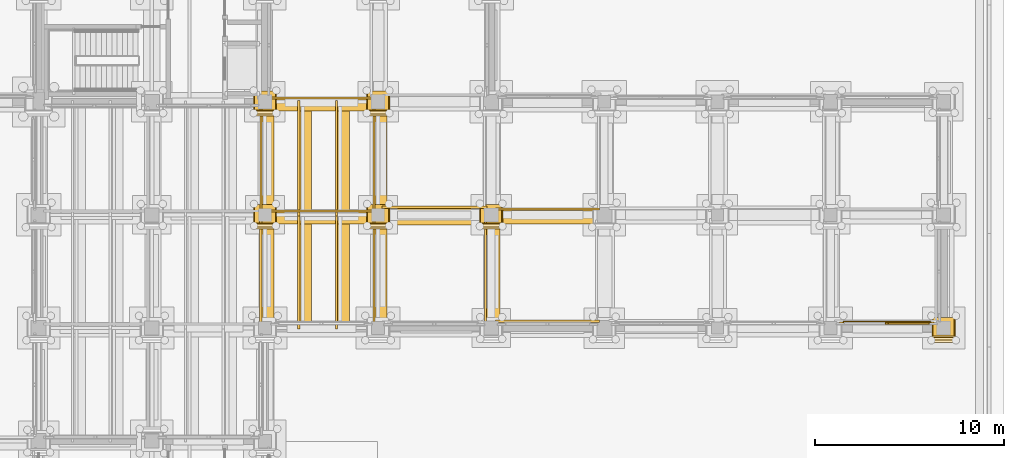
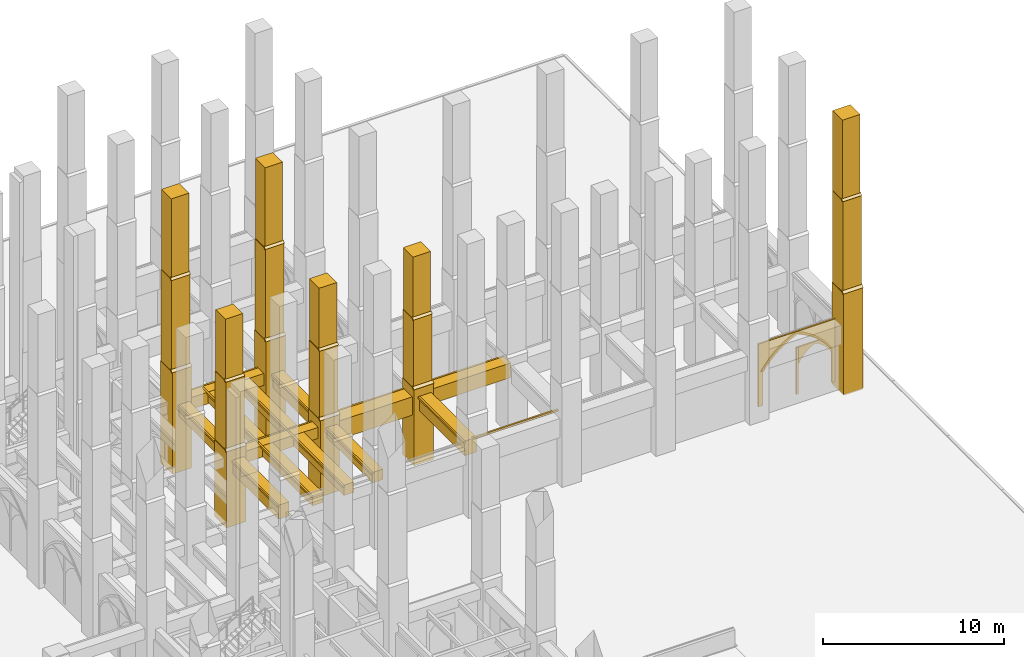
# One storey, part 127 of 135: 61 coverings.
"""IFC4 building model written with IfcOpenShell, lengths in metres."""

from ifc_helpers import new_model, si_unit, direction, frame, origin, origin_2d, place, context, subcontext, project, spatial, polyline, rectangle, outline, extrude, material, type_object, element, save


model = new_model("IFC4")

# Units and contexts
model_context = context("Model", 3, precision=1e-05, world=origin(), true_north=direction((0.0, 1.0)))
body_context = subcontext(model_context, "Body", "Model", "MODEL_VIEW")
ifc_project = project(units=[si_unit("LENGTHUNIT", "METRE"), si_unit("AREAUNIT", "SQUARE_METRE"), si_unit("VOLUMEUNIT", "CUBIC_METRE"), si_unit("PLANEANGLEUNIT", "RADIAN"), si_unit("MASSUNIT", "GRAM", prefix="KILO")], contexts=[model_context])

# Site, building, storey
site_placement = place(None, origin())
site = spatial("IfcSite", under=ifc_project, at=site_placement, CompositionType="ELEMENT")
building_placement = place(site_placement, origin())
building = spatial("IfcBuilding", under=site, at=building_placement, Name="Cumevento Cable Car Station", CompositionType="ELEMENT")
storey_placement = place(building_placement, origin())
storey = spatial("IfcBuildingStorey", under=building, at=storey_placement, Name="L01", CompositionType="ELEMENT", Elevation=0.0)

# Coverings
ifc_material = material(Name="Gnaisse Facoidal Stone Ashlar 85 MPa", Category="masonry")
covering_type = type_object("IfcCoveringType", Name="Gnaisse Ashlar Cladding CV-CL01", PredefinedType="CLADDING", material=ifc_material)
covering_1_placement = place(storey_placement, frame((130.0, 38.909912109375, -0.06005859375), z_axis=(0.0, 0.0, 1.0), x_axis=(1.0, 0.0, 0.0)))
element("IfcCovering", 1, at=covering_1_placement, inside=storey, type_object=covering_type, Name="Stepped Gothic Stone Buttress Tier 1 bt:130.0:39.0", PredefinedType="CLADDING", context=body_context, shape_type="SweptSolid", body=[
    extrude(rectangle(XDim=1.239990234375, YDim=1.300048828125, at=origin_2d()), origin(), (0.0, 0.0, 1.0), 5.175537109375),
])
covering_2_placement = place(storey_placement, frame((129.360107421875, 38.239990234375, 5.095703125), z_axis=(0.0, -0.711135781079, 0.703054692658), x_axis=(1.0, 0.0, 0.0)))
element("IfcCovering", 2, at=covering_2_placement, inside=storey, type_object=covering_type, Name="Gothic Buttress Sloped Stone Weathering 1 bt:130.0:39.0", PredefinedType="CLADDING", context=body_context, shape_type="SweptSolid", body=[
    extrude(outline(polyline([(0.0, 0.0), (1.27978515625, 0.0), (1.27978515625, 0.24169083397703695), (0.0, 0.24169083397703695), (0.0, 0.0)])), origin(), (0.0, 0.0, -1.0), 0.090087890625),
])
covering_3_placement = place(storey_placement, frame((130.0, 38.969970703125, 4.84326171875), z_axis=(0.0, 0.0, 1.0), x_axis=(1.0, 0.0, 0.0)))
element("IfcCovering", 3, at=covering_3_placement, inside=storey, type_object=covering_type, Name="Stepped Gothic Stone Buttress Tier 2 bt:130.0:39.0", PredefinedType="CLADDING", context=body_context, shape_type="SweptSolid", body=[
    extrude(rectangle(XDim=1.179931640625, YDim=1.179931640625, at=origin_2d()), origin(), (0.0, 0.0, 1.0), 4.9033203125),
])
covering_4_placement = place(storey_placement, frame((129.389892578125, 38.360107421875, 9.726318359375), z_axis=(0.0, -0.714474823669, 0.699661151089), x_axis=(1.0, 0.0, 0.0)))
element("IfcCovering", 4, at=covering_4_placement, inside=storey, type_object=covering_type, Name="Gothic Buttress Sloped Stone Weathering 2 bt:130.0:39.0", PredefinedType="CLADDING", context=body_context, shape_type="SweptSolid", body=[
    extrude(outline(polyline([(0.0, 0.0), (1.22021484375, 0.0), (1.22021484375, 0.21424991728737655), (0.0, 0.21424991728737655), (0.0, 0.0)])), origin(), (0.0, 0.0, -1.0), 0.090087890625),
])
covering_5_placement = place(storey_placement, frame((130.0, 39.02001953125, 9.47412109375), z_axis=(0.0, 0.0, 1.0), x_axis=(1.0, 0.0, 0.0)))
element("IfcCovering", 5, at=covering_5_placement, inside=storey, type_object=covering_type, Name="Stepped Gothic Stone Buttress Tier 3 bt:130.0:39.0", PredefinedType="CLADDING", context=body_context, shape_type="SweptSolid", body=[
    extrude(rectangle(XDim=1.1201171875, YDim=1.080078125, at=origin_2d()), origin(), (0.0, 0.0, 1.0), 4.426025390625),
])
covering_6_placement = place(storey_placement, frame((130.0, 44.909912109375, -0.06005859375), z_axis=(0.0, 0.0, 1.0), x_axis=(1.0, 0.0, 0.0)))
element("IfcCovering", 6, at=covering_6_placement, inside=storey, type_object=covering_type, Name="Stepped Gothic Stone Buttress Tier 1 bt:130.0:45.0", PredefinedType="CLADDING", context=body_context, shape_type="SweptSolid", body=[
    extrude(rectangle(XDim=1.239990234375, YDim=1.300048828125, at=origin_2d()), origin(), (0.0, 0.0, 1.0), 6.885498046875),
])
covering_7_placement = place(storey_placement, frame((129.360107421875, 44.239990234375, 6.8056640625), z_axis=(0.0, -0.711135781079, 0.703054692658), x_axis=(1.0, 0.0, 0.0)))
element("IfcCovering", 7, at=covering_7_placement, inside=storey, type_object=covering_type, Name="Gothic Buttress Sloped Stone Weathering 1 bt:130.0:45.0", PredefinedType="CLADDING", context=body_context, shape_type="SweptSolid", body=[
    extrude(outline(polyline([(0.0, 0.0), (1.27978515625, 0.0), (1.27978515625, 0.24169083397703695), (0.0, 0.24169083397703695), (0.0, 0.0)])), origin(), (0.0, 0.0, -1.0), 0.090087890625),
])
covering_8_placement = place(storey_placement, frame((130.0, 44.969970703125, 6.46337890625), z_axis=(0.0, 0.0, 1.0), x_axis=(1.0, 0.0, 0.0)))
element("IfcCovering", 8, at=covering_8_placement, inside=storey, type_object=covering_type, Name="Stepped Gothic Stone Buttress Tier 2 bt:130.0:45.0", PredefinedType="CLADDING", context=body_context, shape_type="SweptSolid", body=[
    extrude(rectangle(XDim=1.179931640625, YDim=1.179931640625, at=origin_2d()), origin(), (0.0, 0.0, 1.0), 6.523193359375),
])
covering_9_placement = place(storey_placement, frame((129.389892578125, 44.360107421875, 12.96630859375), z_axis=(0.0, -0.714474823669, 0.699661151089), x_axis=(1.0, 0.0, 0.0)))
element("IfcCovering", 9, at=covering_9_placement, inside=storey, type_object=covering_type, Name="Gothic Buttress Sloped Stone Weathering 2 bt:130.0:45.0", PredefinedType="CLADDING", context=body_context, shape_type="SweptSolid", body=[
    extrude(outline(polyline([(0.0, 0.0), (1.22021484375, 0.0), (1.22021484375, 0.21424991728737655), (0.0, 0.21424991728737655), (0.0, 0.0)])), origin(), (0.0, 0.0, -1.0), 0.090087890625),
])
covering_10_placement = place(storey_placement, frame((130.0, 45.02001953125, 12.6240234375), z_axis=(0.0, 0.0, 1.0), x_axis=(1.0, 0.0, 0.0)))
element("IfcCovering", 10, at=covering_10_placement, inside=storey, type_object=covering_type, Name="Stepped Gothic Stone Buttress Tier 3 bt:130.0:45.0", PredefinedType="CLADDING", context=body_context, shape_type="SweptSolid", body=[
    extrude(rectangle(XDim=1.1201171875, YDim=1.080078125, at=origin_2d()), origin(), (0.0, 0.0, 1.0), 5.77587890625),
])
covering_11_placement = place(storey_placement, frame((136.0, 38.909912109375, -0.06005859375), z_axis=(0.0, 0.0, 1.0), x_axis=(1.0, 0.0, 0.0)))
element("IfcCovering", 11, at=covering_11_placement, inside=storey, type_object=covering_type, Name="Stepped Gothic Stone Buttress Tier 1 bt:136.0:39.0", PredefinedType="CLADDING", context=body_context, shape_type="SweptSolid", body=[
    extrude(rectangle(XDim=1.239990234375, YDim=1.300048828125, at=origin_2d()), origin(), (0.0, 0.0, 1.0), 5.175537109375),
])
covering_12_placement = place(storey_placement, frame((135.360107421875, 38.239990234375, 5.095703125), z_axis=(0.0, -0.711135781079, 0.703054692658), x_axis=(1.0, 0.0, 0.0)))
element("IfcCovering", 12, at=covering_12_placement, inside=storey, type_object=covering_type, Name="Gothic Buttress Sloped Stone Weathering 1 bt:136.0:39.0", PredefinedType="CLADDING", context=body_context, shape_type="SweptSolid", body=[
    extrude(outline(polyline([(0.0, 0.0), (1.27978515625, 0.0), (1.27978515625, 0.24169083397703695), (0.0, 0.24169083397703695), (0.0, 0.0)])), origin(), (0.0, 0.0, -1.0), 0.090087890625),
])
covering_13_placement = place(storey_placement, frame((136.0, 38.969970703125, 4.84326171875), z_axis=(0.0, 0.0, 1.0), x_axis=(1.0, 0.0, 0.0)))
element("IfcCovering", 13, at=covering_13_placement, inside=storey, type_object=covering_type, Name="Stepped Gothic Stone Buttress Tier 2 bt:136.0:39.0", PredefinedType="CLADDING", context=body_context, shape_type="SweptSolid", body=[
    extrude(rectangle(XDim=1.179931640625, YDim=1.179931640625, at=origin_2d()), origin(), (0.0, 0.0, 1.0), 4.9033203125),
])
covering_14_placement = place(storey_placement, frame((135.389892578125, 38.360107421875, 9.726318359375), z_axis=(0.0, -0.714474823669, 0.699661151089), x_axis=(1.0, 0.0, 0.0)))
element("IfcCovering", 14, at=covering_14_placement, inside=storey, type_object=covering_type, Name="Gothic Buttress Sloped Stone Weathering 2 bt:136.0:39.0", PredefinedType="CLADDING", context=body_context, shape_type="SweptSolid", body=[
    extrude(outline(polyline([(0.0, 0.0), (1.22021484375, 0.0), (1.22021484375, 0.21424991728737655), (0.0, 0.21424991728737655), (0.0, 0.0)])), origin(), (0.0, 0.0, -1.0), 0.090087890625),
])
covering_15_placement = place(storey_placement, frame((136.0, 39.02001953125, 9.47412109375), z_axis=(0.0, 0.0, 1.0), x_axis=(1.0, 0.0, 0.0)))
element("IfcCovering", 15, at=covering_15_placement, inside=storey, type_object=covering_type, Name="Stepped Gothic Stone Buttress Tier 3 bt:136.0:39.0", PredefinedType="CLADDING", context=body_context, shape_type="SweptSolid", body=[
    extrude(rectangle(XDim=1.1201171875, YDim=1.080078125, at=origin_2d()), origin(), (0.0, 0.0, 1.0), 4.426025390625),
])
covering_16_placement = place(storey_placement, frame((136.0, 44.909912109375, -0.06005859375), z_axis=(0.0, 0.0, 1.0), x_axis=(1.0, 0.0, 0.0)))
element("IfcCovering", 16, at=covering_16_placement, inside=storey, type_object=covering_type, Name="Stepped Gothic Stone Buttress Tier 1 bt:136.0:45.0", PredefinedType="CLADDING", context=body_context, shape_type="SweptSolid", body=[
    extrude(rectangle(XDim=1.239990234375, YDim=1.300048828125, at=origin_2d()), origin(), (0.0, 0.0, 1.0), 6.885498046875),
])
covering_17_placement = place(storey_placement, frame((135.360107421875, 44.239990234375, 6.8056640625), z_axis=(0.0, -0.711135781079, 0.703054692658), x_axis=(1.0, 0.0, 0.0)))
element("IfcCovering", 17, at=covering_17_placement, inside=storey, type_object=covering_type, Name="Gothic Buttress Sloped Stone Weathering 1 bt:136.0:45.0", PredefinedType="CLADDING", context=body_context, shape_type="SweptSolid", body=[
    extrude(outline(polyline([(0.0, 0.0), (1.27978515625, 0.0), (1.27978515625, 0.24169083397703695), (0.0, 0.24169083397703695), (0.0, 0.0)])), origin(), (0.0, 0.0, -1.0), 0.090087890625),
])
covering_18_placement = place(storey_placement, frame((136.0, 44.969970703125, 6.46337890625), z_axis=(0.0, 0.0, 1.0), x_axis=(1.0, 0.0, 0.0)))
element("IfcCovering", 18, at=covering_18_placement, inside=storey, type_object=covering_type, Name="Stepped Gothic Stone Buttress Tier 2 bt:136.0:45.0", PredefinedType="CLADDING", context=body_context, shape_type="SweptSolid", body=[
    extrude(rectangle(XDim=1.179931640625, YDim=1.179931640625, at=origin_2d()), origin(), (0.0, 0.0, 1.0), 6.523193359375),
])
covering_19_placement = place(storey_placement, frame((135.389892578125, 44.360107421875, 12.96630859375), z_axis=(0.0, -0.714474823669, 0.699661151089), x_axis=(1.0, 0.0, 0.0)))
element("IfcCovering", 19, at=covering_19_placement, inside=storey, type_object=covering_type, Name="Gothic Buttress Sloped Stone Weathering 2 bt:136.0:45.0", PredefinedType="CLADDING", context=body_context, shape_type="SweptSolid", body=[
    extrude(outline(polyline([(0.0, 0.0), (1.22021484375, 0.0), (1.22021484375, 0.21424991728737655), (0.0, 0.21424991728737655), (0.0, 0.0)])), origin(), (0.0, 0.0, -1.0), 0.090087890625),
])
covering_20_placement = place(storey_placement, frame((136.0, 45.02001953125, 12.6240234375), z_axis=(0.0, 0.0, 1.0), x_axis=(1.0, 0.0, 0.0)))
element("IfcCovering", 20, at=covering_20_placement, inside=storey, type_object=covering_type, Name="Stepped Gothic Stone Buttress Tier 3 bt:136.0:45.0", PredefinedType="CLADDING", context=body_context, shape_type="SweptSolid", body=[
    extrude(rectangle(XDim=1.1201171875, YDim=1.080078125, at=origin_2d()), origin(), (0.0, 0.0, 1.0), 5.77587890625),
])
covering_21_placement = place(storey_placement, frame((142.0, 38.909912109375, -0.06005859375), z_axis=(0.0, 0.0, 1.0), x_axis=(1.0, 0.0, 0.0)))
element("IfcCovering", 21, at=covering_21_placement, inside=storey, type_object=covering_type, Name="Stepped Gothic Stone Buttress Tier 1 bt:142.0:39.0", PredefinedType="CLADDING", context=body_context, shape_type="SweptSolid", body=[
    extrude(rectangle(XDim=1.239990234375, YDim=1.300048828125, at=origin_2d()), origin(), (0.0, 0.0, 1.0), 5.175537109375),
])
covering_22_placement = place(storey_placement, frame((141.360107421875, 38.239990234375, 5.095703125), z_axis=(0.0, -0.711135781079, 0.703054692658), x_axis=(1.0, 0.0, 0.0)))
element("IfcCovering", 22, at=covering_22_placement, inside=storey, type_object=covering_type, Name="Gothic Buttress Sloped Stone Weathering 1 bt:142.0:39.0", PredefinedType="CLADDING", context=body_context, shape_type="SweptSolid", body=[
    extrude(outline(polyline([(0.0, 0.0), (1.27978515625, 0.0), (1.27978515625, 0.24169083397703695), (0.0, 0.24169083397703695), (0.0, 0.0)])), origin(), (0.0, 0.0, -1.0), 0.090087890625),
])
covering_23_placement = place(storey_placement, frame((142.0, 38.969970703125, 4.84326171875), z_axis=(0.0, 0.0, 1.0), x_axis=(1.0, 0.0, 0.0)))
element("IfcCovering", 23, at=covering_23_placement, inside=storey, type_object=covering_type, Name="Stepped Gothic Stone Buttress Tier 2 bt:142.0:39.0", PredefinedType="CLADDING", context=body_context, shape_type="SweptSolid", body=[
    extrude(rectangle(XDim=1.179931640625, YDim=1.179931640625, at=origin_2d()), origin(), (0.0, 0.0, 1.0), 4.9033203125),
])
covering_24_placement = place(storey_placement, frame((141.389892578125, 38.360107421875, 9.726318359375), z_axis=(0.0, -0.714474823669, 0.699661151089), x_axis=(1.0, 0.0, 0.0)))
element("IfcCovering", 24, at=covering_24_placement, inside=storey, type_object=covering_type, Name="Gothic Buttress Sloped Stone Weathering 2 bt:142.0:39.0", PredefinedType="CLADDING", context=body_context, shape_type="SweptSolid", body=[
    extrude(outline(polyline([(0.0, 0.0), (1.22021484375, 0.0), (1.22021484375, 0.21424991728737655), (0.0, 0.21424991728737655), (0.0, 0.0)])), origin(), (0.0, 0.0, -1.0), 0.090087890625),
])
covering_25_placement = place(storey_placement, frame((142.0, 39.02001953125, 9.47412109375), z_axis=(0.0, 0.0, 1.0), x_axis=(1.0, 0.0, 0.0)))
element("IfcCovering", 25, at=covering_25_placement, inside=storey, type_object=covering_type, Name="Stepped Gothic Stone Buttress Tier 3 bt:142.0:39.0", PredefinedType="CLADDING", context=body_context, shape_type="SweptSolid", body=[
    extrude(rectangle(XDim=1.1201171875, YDim=1.080078125, at=origin_2d()), origin(), (0.0, 0.0, 1.0), 4.426025390625),
])
covering_26_placement = place(storey_placement, frame((166.0, 32.909912109375, -0.06005859375), z_axis=(0.0, 0.0, 1.0), x_axis=(1.0, 0.0, 0.0)))
element("IfcCovering", 26, at=covering_26_placement, inside=storey, type_object=covering_type, Name="Stepped Gothic Stone Buttress Tier 1 bt:166.0:33.0", PredefinedType="CLADDING", context=body_context, shape_type="SweptSolid", body=[
    extrude(rectangle(XDim=1.239990234375, YDim=1.300048828125, at=origin_2d()), origin(), (0.0, 0.0, 1.0), 6.885498046875),
])
covering_27_placement = place(storey_placement, frame((165.360107421875, 32.239990234375, 6.8056640625), z_axis=(0.0, -0.711135781079, 0.703054692658), x_axis=(1.0, 0.0, 0.0)))
element("IfcCovering", 27, at=covering_27_placement, inside=storey, type_object=covering_type, Name="Gothic Buttress Sloped Stone Weathering 1 bt:166.0:33.0", PredefinedType="CLADDING", context=body_context, shape_type="SweptSolid", body=[
    extrude(outline(polyline([(0.0, 0.0), (1.27978515625, 0.0), (1.27978515625, 0.24169083397703695), (0.0, 0.24169083397703695), (0.0, 0.0)])), origin(), (0.0, 0.0, -1.0), 0.090087890625),
])
covering_28_placement = place(storey_placement, frame((166.0, 32.969970703125, 6.46337890625), z_axis=(0.0, 0.0, 1.0), x_axis=(1.0, 0.0, 0.0)))
element("IfcCovering", 28, at=covering_28_placement, inside=storey, type_object=covering_type, Name="Stepped Gothic Stone Buttress Tier 2 bt:166.0:33.0", PredefinedType="CLADDING", context=body_context, shape_type="SweptSolid", body=[
    extrude(rectangle(XDim=1.179931640625, YDim=1.179931640625, at=origin_2d()), origin(), (0.0, 0.0, 1.0), 6.523193359375),
])
covering_29_placement = place(storey_placement, frame((165.389892578125, 32.360107421875, 12.96630859375), z_axis=(0.0, -0.714474823669, 0.699661151089), x_axis=(1.0, 0.0, 0.0)))
element("IfcCovering", 29, at=covering_29_placement, inside=storey, type_object=covering_type, Name="Gothic Buttress Sloped Stone Weathering 2 bt:166.0:33.0", PredefinedType="CLADDING", context=body_context, shape_type="SweptSolid", body=[
    extrude(outline(polyline([(0.0, 0.0), (1.22021484375, 0.0), (1.22021484375, 0.21424991728737655), (0.0, 0.21424991728737655), (0.0, 0.0)])), origin(), (0.0, 0.0, -1.0), 0.090087890625),
])
covering_30_placement = place(storey_placement, frame((166.0, 33.02001953125, 12.6240234375), z_axis=(0.0, 0.0, 1.0), x_axis=(1.0, 0.0, 0.0)))
element("IfcCovering", 30, at=covering_30_placement, inside=storey, type_object=covering_type, Name="Stepped Gothic Stone Buttress Tier 3 bt:166.0:33.0", PredefinedType="CLADDING", context=body_context, shape_type="SweptSolid", body=[
    extrude(rectangle(XDim=1.1201171875, YDim=1.080078125, at=origin_2d()), origin(), (0.0, 0.0, 1.0), 5.77587890625),
])
covering_31_placement = place(storey_placement, frame((133.0, 38.85009765625, 3.737060546875), z_axis=(0.0, 0.0, 1.0), x_axis=(1.0, 0.0, 0.0)))
element("IfcCovering", 31, at=covering_31_placement, inside=storey, type_object=covering_type, Name="Gothic Stone Spandrel Stringcourse sc:0193", PredefinedType="CLADDING", context=body_context, shape_type="SweptSolid", body=[
    extrude(rectangle(XDim=5.5400390625, YDim=0.659912109375, at=origin_2d()), origin(), (0.0, 0.0, 1.0), 0.7529296875),
])
covering_32_placement = place(storey_placement, frame((133.0, 39.20751953125, 4.360107421875), z_axis=(0.0, 0.0, 1.0), x_axis=(1.0, 0.0, 0.0)))
element("IfcCovering", 32, at=covering_32_placement, inside=storey, type_object=covering_type, Name="Gothic Cornice Dripstone Lip sc:0193", PredefinedType="CLADDING", context=body_context, shape_type="SweptSolid", body=[
    extrude(rectangle(XDim=5.580078125, YDim=0.114990234375, at=origin_2d()), origin(), (0.0, 0.0, 1.0), 0.1298828125),
])
covering_33_placement = place(storey_placement, frame((133.0, 44.85009765625, 3.69287109375), z_axis=(0.0, 0.0, 1.0), x_axis=(1.0, 0.0, 0.0)))
element("IfcCovering", 33, at=covering_33_placement, inside=storey, type_object=covering_type, Name="Gothic Stone Spandrel Stringcourse sc:0196", PredefinedType="CLADDING", context=body_context, shape_type="SweptSolid", body=[
    extrude(rectangle(XDim=5.489990234375, YDim=0.659912109375, at=origin_2d()), origin(), (0.0, 0.0, 1.0), 0.797119140625),
])
covering_34_placement = place(storey_placement, frame((133.0, 45.20751953125, 4.360107421875), z_axis=(0.0, 0.0, 1.0), x_axis=(1.0, 0.0, 0.0)))
element("IfcCovering", 34, at=covering_34_placement, inside=storey, type_object=covering_type, Name="Gothic Cornice Dripstone Lip sc:0196", PredefinedType="CLADDING", context=body_context, shape_type="SweptSolid", body=[
    extrude(rectangle(XDim=5.530029296875, YDim=0.114990234375, at=origin_2d()), origin(), (0.0, 0.0, 1.0), 0.1298828125),
])
covering_35_placement = place(storey_placement, frame((130.14306640625, 36.0, 3.44189453125), z_axis=(0.0, 0.0, 1.0), x_axis=(0.0, 1.0, 0.0)))
element("IfcCovering", 35, at=covering_35_placement, inside=storey, type_object=covering_type, Name="Gothic Stone Spandrel Stringcourse sc:0201", PredefinedType="CLADDING", context=body_context, shape_type="SweptSolid", body=[
    extrude(rectangle(XDim=5.5400390625, YDim=0.674072265625, at=origin_2d()), origin(), (0.0, 0.0, 1.0), 0.947998046875),
])
covering_36_placement = place(storey_placement, frame((129.778564453125, 36.0, 4.260009765625), z_axis=(0.0, 0.0, 1.0), x_axis=(0.0, 1.0, 0.0)))
element("IfcCovering", 36, at=covering_36_placement, inside=storey, type_object=covering_type, Name="Gothic Cornice Dripstone Lip sc:0201", PredefinedType="CLADDING", context=body_context, shape_type="SweptSolid", body=[
    extrude(rectangle(XDim=5.580078125, YDim=0.114990234375, at=origin_2d()), origin(), (0.0, 0.0, 1.0), 0.1298828125),
])
covering_37_placement = place(storey_placement, frame((130.14990234375, 41.987548828125, 3.69287109375), z_axis=(0.0, 0.0, 1.0), x_axis=(0.0, 1.0, 0.0)))
element("IfcCovering", 37, at=covering_37_placement, inside=storey, type_object=covering_type, Name="Gothic Stone Spandrel Stringcourse sc:0202", PredefinedType="CLADDING", context=body_context, shape_type="SweptSolid", body=[
    extrude(rectangle(XDim=5.514892578125, YDim=0.659912109375, at=origin_2d()), origin(), (0.0, 0.0, 1.0), 0.797119140625),
])
covering_38_placement = place(storey_placement, frame((129.79248046875, 41.987548828125, 4.360107421875), z_axis=(0.0, 0.0, 1.0), x_axis=(0.0, 1.0, 0.0)))
element("IfcCovering", 38, at=covering_38_placement, inside=storey, type_object=covering_type, Name="Gothic Cornice Dripstone Lip sc:0202", PredefinedType="CLADDING", context=body_context, shape_type="SweptSolid", body=[
    extrude(rectangle(XDim=5.554931640625, YDim=0.114990234375, at=origin_2d()), origin(), (0.0, 0.0, 1.0), 0.1298828125),
])
covering_39_placement = place(storey_placement, frame((136.148681640625, 36.0, 3.7958984375), z_axis=(0.0, 0.0, 1.0), x_axis=(0.0, 1.0, 0.0)))
element("IfcCovering", 39, at=covering_39_placement, inside=storey, type_object=covering_type, Name="Gothic Stone Spandrel Stringcourse sc:0203", PredefinedType="CLADDING", context=body_context, shape_type="SweptSolid", body=[
    extrude(rectangle(XDim=5.5400390625, YDim=0.66259765625, at=origin_2d()), origin(), (0.0, 0.0, 1.0), 0.694091796875),
])
covering_40_placement = place(storey_placement, frame((135.7900390625, 36.0, 4.360107421875), z_axis=(0.0, 0.0, 1.0), x_axis=(0.0, 1.0, 0.0)))
element("IfcCovering", 40, at=covering_40_placement, inside=storey, type_object=covering_type, Name="Gothic Cornice Dripstone Lip sc:0203", PredefinedType="CLADDING", context=body_context, shape_type="SweptSolid", body=[
    extrude(rectangle(XDim=5.580078125, YDim=0.114990234375, at=origin_2d()), origin(), (0.0, 0.0, 1.0), 0.1298828125),
])
covering_41_placement = place(storey_placement, frame((136.14306640625, 41.987548828125, 3.5419921875), z_axis=(0.0, 0.0, 1.0), x_axis=(0.0, 1.0, 0.0)))
element("IfcCovering", 41, at=covering_41_placement, inside=storey, type_object=covering_type, Name="Gothic Stone Spandrel Stringcourse sc:0204", PredefinedType="CLADDING", context=body_context, shape_type="SweptSolid", body=[
    extrude(rectangle(XDim=5.514892578125, YDim=0.674072265625, at=origin_2d()), origin(), (0.0, 0.0, 1.0), 0.947998046875),
])
covering_42_placement = place(storey_placement, frame((135.778564453125, 41.987548828125, 4.360107421875), z_axis=(0.0, 0.0, 1.0), x_axis=(0.0, 1.0, 0.0)))
element("IfcCovering", 42, at=covering_42_placement, inside=storey, type_object=covering_type, Name="Gothic Cornice Dripstone Lip sc:0204", PredefinedType="CLADDING", context=body_context, shape_type="SweptSolid", body=[
    extrude(rectangle(XDim=5.554931640625, YDim=0.114990234375, at=origin_2d()), origin(), (0.0, 0.0, 1.0), 0.1298828125),
])
covering_43_placement = place(storey_placement, frame((144.987548828125, 33.357421875, 4.400146484375), z_axis=(0.0, 0.0, 1.0), x_axis=(1.0, 0.0, 0.0)))
element("IfcCovering", 43, at=covering_43_placement, inside=storey, type_object=covering_type, Name="Gothic Cornice Dripstone Lip sc:0206", PredefinedType="CLADDING", context=body_context, shape_type="SweptSolid", body=[
    extrude(rectangle(XDim=5.5048828125, YDim=0.114990234375, at=origin_2d()), origin(), (0.0, 0.0, 1.0), 0.1298828125),
])
covering_44_placement = place(storey_placement, frame((138.987548828125, 38.919921875, 3.25), z_axis=(0.0, 0.0, 1.0), x_axis=(1.0, 0.0, 0.0)))
element("IfcCovering", 44, at=covering_44_placement, inside=storey, type_object=covering_type, Name="Gothic Stone Spandrel Stringcourse sc:0210", PredefinedType="CLADDING", context=body_context, shape_type="SweptSolid", body=[
    extrude(rectangle(XDim=5.514892578125, YDim=0.919921875, at=origin_2d()), origin(), (0.0, 0.0, 1.0), 1.239990234375),
])
covering_45_placement = place(storey_placement, frame((138.987548828125, 39.407470703125, 4.360107421875), z_axis=(0.0, 0.0, 1.0), x_axis=(1.0, 0.0, 0.0)))
element("IfcCovering", 45, at=covering_45_placement, inside=storey, type_object=covering_type, Name="Gothic Cornice Dripstone Lip sc:0210", PredefinedType="CLADDING", context=body_context, shape_type="SweptSolid", body=[
    extrude(rectangle(XDim=5.554931640625, YDim=0.114990234375, at=origin_2d()), origin(), (0.0, 0.0, 1.0), 0.1298828125),
])
covering_46_placement = place(storey_placement, frame((144.987548828125, 38.89990234375, 3.5400390625), z_axis=(0.0, 0.0, 1.0), x_axis=(1.0, 0.0, 0.0)))
element("IfcCovering", 46, at=covering_46_placement, inside=storey, type_object=covering_type, Name="Gothic Stone Spandrel Stringcourse sc:0211", PredefinedType="CLADDING", context=body_context, shape_type="SweptSolid", body=[
    extrude(rectangle(XDim=5.465087890625, YDim=0.760009765625, at=origin_2d()), origin(), (0.0, 0.0, 1.0), 0.989990234375),
])
covering_47_placement = place(storey_placement, frame((144.987548828125, 39.3076171875, 4.400146484375), z_axis=(0.0, 0.0, 1.0), x_axis=(1.0, 0.0, 0.0)))
element("IfcCovering", 47, at=covering_47_placement, inside=storey, type_object=covering_type, Name="Gothic Cornice Dripstone Lip sc:0211", PredefinedType="CLADDING", context=body_context, shape_type="SweptSolid", body=[
    extrude(rectangle(XDim=5.5048828125, YDim=0.114990234375, at=origin_2d()), origin(), (0.0, 0.0, 1.0), 0.1298828125),
])
covering_48_placement = place(storey_placement, frame((142.10009765625, 36.0, 3.5400390625), z_axis=(0.0, 0.0, 1.0), x_axis=(0.0, 1.0, 0.0)))
element("IfcCovering", 48, at=covering_48_placement, inside=storey, type_object=covering_type, Name="Gothic Stone Spandrel Stringcourse sc:0220", PredefinedType="CLADDING", context=body_context, shape_type="SweptSolid", body=[
    extrude(rectangle(XDim=5.489990234375, YDim=0.760009765625, at=origin_2d()), origin(), (0.0, 0.0, 1.0), 0.989990234375),
])
covering_49_placement = place(storey_placement, frame((141.6923828125, 36.0, 4.400146484375), z_axis=(0.0, 0.0, 1.0), x_axis=(0.0, 1.0, 0.0)))
element("IfcCovering", 49, at=covering_49_placement, inside=storey, type_object=covering_type, Name="Gothic Cornice Dripstone Lip sc:0220", PredefinedType="CLADDING", context=body_context, shape_type="SweptSolid", body=[
    extrude(rectangle(XDim=5.530029296875, YDim=0.114990234375, at=origin_2d()), origin(), (0.0, 0.0, 1.0), 0.1298828125),
])
covering_50_placement = place(storey_placement, frame((132.14990234375, 35.99951171875, 3.794921875), z_axis=(0.0, 0.0, 1.0), x_axis=(0.0, 1.0, 0.0)))
element("IfcCovering", 50, at=covering_50_placement, inside=storey, type_object=covering_type, Name="Gothic Stone Spandrel Stringcourse sc:0286", PredefinedType="CLADDING", context=body_context, shape_type="SweptSolid", body=[
    extrude(rectangle(XDim=6.0849609375, YDim=0.659912109375, at=origin_2d()), origin(), (0.0, 0.0, 1.0), 0.695068359375),
])
covering_51_placement = place(storey_placement, frame((131.79248046875, 35.99951171875, 4.360107421875), z_axis=(0.0, 0.0, 1.0), x_axis=(0.0, 1.0, 0.0)))
element("IfcCovering", 51, at=covering_51_placement, inside=storey, type_object=covering_type, Name="Gothic Cornice Dripstone Lip sc:0286", PredefinedType="CLADDING", context=body_context, shape_type="SweptSolid", body=[
    extrude(rectangle(XDim=6.125, YDim=0.114990234375, at=origin_2d()), origin(), (0.0, 0.0, 1.0), 0.1298828125),
])
covering_52_placement = place(storey_placement, frame((132.14990234375, 41.99755859375, 3.794921875), z_axis=(0.0, 0.0, 1.0), x_axis=(0.0, 1.0, 0.0)))
element("IfcCovering", 52, at=covering_52_placement, inside=storey, type_object=covering_type, Name="Gothic Stone Spandrel Stringcourse sc:0287", PredefinedType="CLADDING", context=body_context, shape_type="SweptSolid", body=[
    extrude(rectangle(XDim=6.0791015625, YDim=0.659912109375, at=origin_2d()), origin(), (0.0, 0.0, 1.0), 0.695068359375),
])
covering_53_placement = place(storey_placement, frame((131.79248046875, 41.99755859375, 4.360107421875), z_axis=(0.0, 0.0, 1.0), x_axis=(0.0, 1.0, 0.0)))
element("IfcCovering", 53, at=covering_53_placement, inside=storey, type_object=covering_type, Name="Gothic Cornice Dripstone Lip sc:0287", PredefinedType="CLADDING", context=body_context, shape_type="SweptSolid", body=[
    extrude(rectangle(XDim=6.118896484375, YDim=0.114990234375, at=origin_2d()), origin(), (0.0, 0.0, 1.0), 0.1298828125),
])
covering_54_placement = place(storey_placement, frame((134.14990234375, 35.99951171875, 3.794921875), z_axis=(0.0, 0.0, 1.0), x_axis=(0.0, 1.0, 0.0)))
element("IfcCovering", 54, at=covering_54_placement, inside=storey, type_object=covering_type, Name="Gothic Stone Spandrel Stringcourse sc:0288", PredefinedType="CLADDING", context=body_context, shape_type="SweptSolid", body=[
    extrude(rectangle(XDim=6.0849609375, YDim=0.659912109375, at=origin_2d()), origin(), (0.0, 0.0, 1.0), 0.695068359375),
])
covering_55_placement = place(storey_placement, frame((133.79248046875, 35.99951171875, 4.360107421875), z_axis=(0.0, 0.0, 1.0), x_axis=(0.0, 1.0, 0.0)))
element("IfcCovering", 55, at=covering_55_placement, inside=storey, type_object=covering_type, Name="Gothic Cornice Dripstone Lip sc:0288", PredefinedType="CLADDING", context=body_context, shape_type="SweptSolid", body=[
    extrude(rectangle(XDim=6.125, YDim=0.114990234375, at=origin_2d()), origin(), (0.0, 0.0, 1.0), 0.1298828125),
])
covering_56_placement = place(storey_placement, frame((134.14990234375, 41.99755859375, 3.794921875), z_axis=(0.0, 0.0, 1.0), x_axis=(0.0, 1.0, 0.0)))
element("IfcCovering", 56, at=covering_56_placement, inside=storey, type_object=covering_type, Name="Gothic Stone Spandrel Stringcourse sc:0289", PredefinedType="CLADDING", context=body_context, shape_type="SweptSolid", body=[
    extrude(rectangle(XDim=6.0791015625, YDim=0.659912109375, at=origin_2d()), origin(), (0.0, 0.0, 1.0), 0.695068359375),
])
covering_57_placement = place(storey_placement, frame((133.79248046875, 41.99755859375, 4.360107421875), z_axis=(0.0, 0.0, 1.0), x_axis=(0.0, 1.0, 0.0)))
element("IfcCovering", 57, at=covering_57_placement, inside=storey, type_object=covering_type, Name="Gothic Cornice Dripstone Lip sc:0289", PredefinedType="CLADDING", context=body_context, shape_type="SweptSolid", body=[
    extrude(rectangle(XDim=6.118896484375, YDim=0.114990234375, at=origin_2d()), origin(), (0.0, 0.0, 1.0), 0.1298828125),
])
placement = place(storey_placement, frame((160.530029296875, 33.0, 0.300048828125), z_axis=(0.0, 0.0, 1.0), x_axis=(1.0, 0.0, 0.0)))
element("IfcCovering", 58, at=placement, inside=storey, type_object=covering_type, Name="Gothic Ogival Pointed-Arch Stone Spandrel blind_ogival:0082", PredefinedType="CLADDING", context=body_context, shape_type="SweptSolid", body=[
    extrude(outline(polyline([(-0.050048828125, 0.0), (-0.050048828125, 4.239990234375), (4.965087890625, 4.239990234375), (4.965087890625, 0.0), (4.655029296875, 0.0), (4.655029296875, 2.219970703125), (4.41748046875, 2.55712890625), (4.150390625, 2.87158203125), (3.856201171875, 3.16064453125), (3.537109375, 3.421875), (3.19580078125, 3.653564453125), (2.8349609375, 3.853515625), (2.45751953125, 4.02001953125), (2.080078125, 3.853515625), (1.71923828125, 3.653564453125), (1.3779296875, 3.421875), (1.058837890625, 3.16064453125), (0.7646484375, 2.87158203125), (0.49755859375, 2.55712890625), (0.260009765625, 2.219970703125), (0.260009765625, 0.0), (-0.050048828125, 0.0)])), frame((0.0, 0.3173828125, 0.0), z_axis=(0.0, -1.0, 0.0), x_axis=(1.0, 0.0, 0.0)), (0.0, 0.0, 1.0), 0.110107421875),
])
covering_59_placement = place(storey_placement, frame((160.530029296875, 33.0, 2.52001953125), z_axis=(0.0, 0.0, 1.0), x_axis=(1.0, 0.0, 0.0)))
element("IfcCovering", 59, at=covering_59_placement, inside=storey, type_object=covering_type, Name="Gothic Pointed Archivolt Hood Moulding blind_ogival:0082", PredefinedType="CLADDING", context=body_context, shape_type="SweptSolid", body=[
    extrude(outline(polyline([(0.260009765625, 0.0), (0.49755859375, 0.337158203125), (0.7646484375, 0.651611328125), (1.058837890625, 0.940673828125), (1.3779296875, 1.201904296875), (1.71923828125, 1.43359375), (2.080078125, 1.633544921875), (2.45751953125, 1.800048828125), (2.8349609375, 1.633544921875), (3.19580078125, 1.43359375), (3.537109375, 1.201904296875), (3.856201171875, 0.940673828125), (4.150390625, 0.651611328125), (4.41748046875, 0.337158203125), (4.655029296875, 0.0), (4.77587890625, 0.0), (4.529052734375, 0.364501953125), (4.249755859375, 0.704833984375), (3.9404296875, 1.01806640625), (3.603515625, 1.3017578125), (3.241943359375, 1.552978515625), (2.85888671875, 1.770263671875), (2.45751953125, 1.951171875), (2.05615234375, 1.770263671875), (1.673095703125, 1.552978515625), (1.3115234375, 1.3017578125), (0.974609375, 1.01806640625), (0.665283203125, 0.704833984375), (0.385986328125, 0.364501953125), (0.138916015625, 0.0), (0.260009765625, 0.0)])), frame((0.0, 0.359619140625, 0.0), z_axis=(0.0, -1.0, 0.0), x_axis=(1.0, 0.0, 0.0)), (0.0, 0.0, 1.0), 0.06689453125),
])
element("IfcCovering", 60, at=placement, inside=storey, type_object=covering_type, Name="Gothic Bifora Stone Colonnette blind_ogival:0082 #1", PredefinedType="CLADDING", context=body_context, shape_type="SweptSolid", body=[
    extrude(outline(polyline([(2.382568359375, -0.02001953125), (2.532470703125, -0.02001953125), (2.532470703125, 3.156005859375), (2.382568359375, 3.156005859375), (2.382568359375, -0.02001953125)])), frame((0.0, 0.305419921875, 0.0), z_axis=(0.0, -1.0, 0.0), x_axis=(1.0, 0.0, 0.0)), (0.0, 0.0, 1.0), 0.094970703125),
])
covering_61_placement = place(storey_placement, frame((163.032470703125, 33.0, 2.340087890625), z_axis=(0.0, 0.0, 1.0), x_axis=(1.0, 0.0, 0.0)))
element("IfcCovering", 61, at=covering_61_placement, inside=storey, type_object=covering_type, Name="Gothic Ogival Pointed-Arch Stone Spandrel blind_ogival:0082:sub:1", PredefinedType="CLADDING", context=body_context, shape_type="SweptSolid", body=[
    extrude(outline(polyline([(-0.02001953125, 0.0), (-0.02001953125, 1.115966796875), (2.202392578125, 1.115966796875), (2.202392578125, 0.0), (2.142578125, 0.0), (2.02001953125, 0.21337890625), (1.873291015625, 0.4111328125), (1.704833984375, 0.590576171875), (1.5166015625, 0.749267578125), (1.31103515625, 0.885009765625), (1.09130859375, 0.99609375), (0.87158203125, 0.885009765625), (0.666015625, 0.749267578125), (0.477783203125, 0.590576171875), (0.309326171875, 0.4111328125), (0.16259765625, 0.21337890625), (0.0400390625, 0.0), (-0.02001953125, 0.0)])), frame((0.0, 0.301513671875, 0.0), z_axis=(0.0, -1.0, 0.0), x_axis=(1.0, 0.0, 0.0)), (0.0, 0.0, 1.0), 0.090087890625),
])

save(model, "model.ifc")
